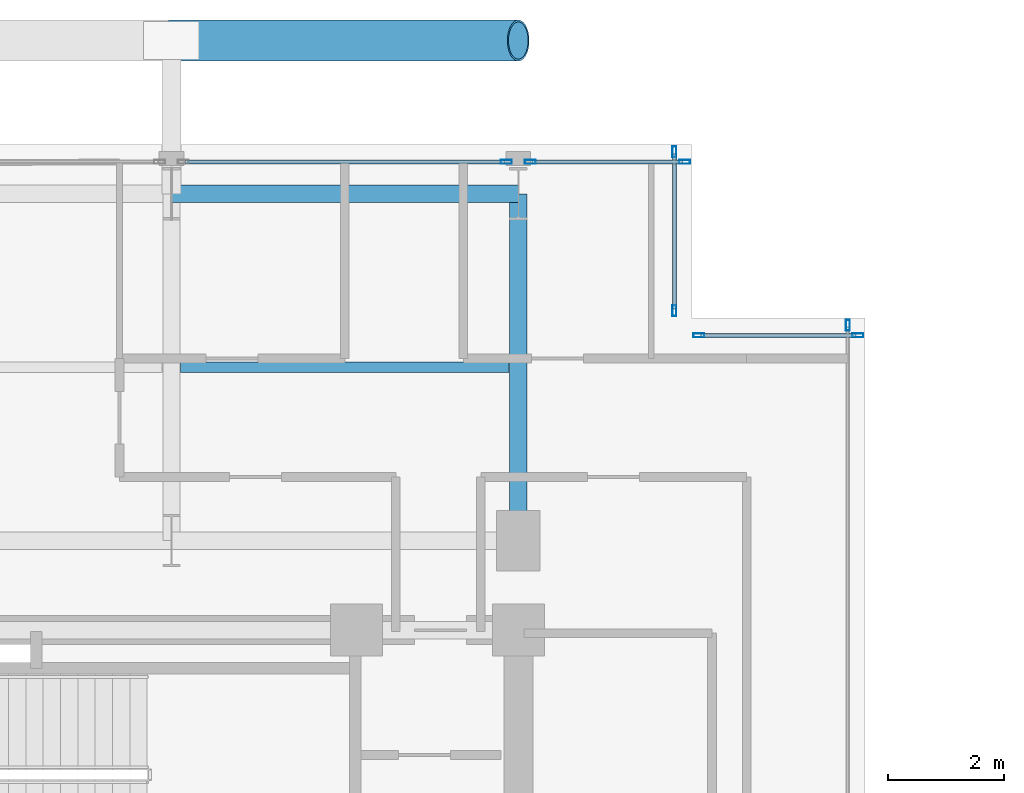
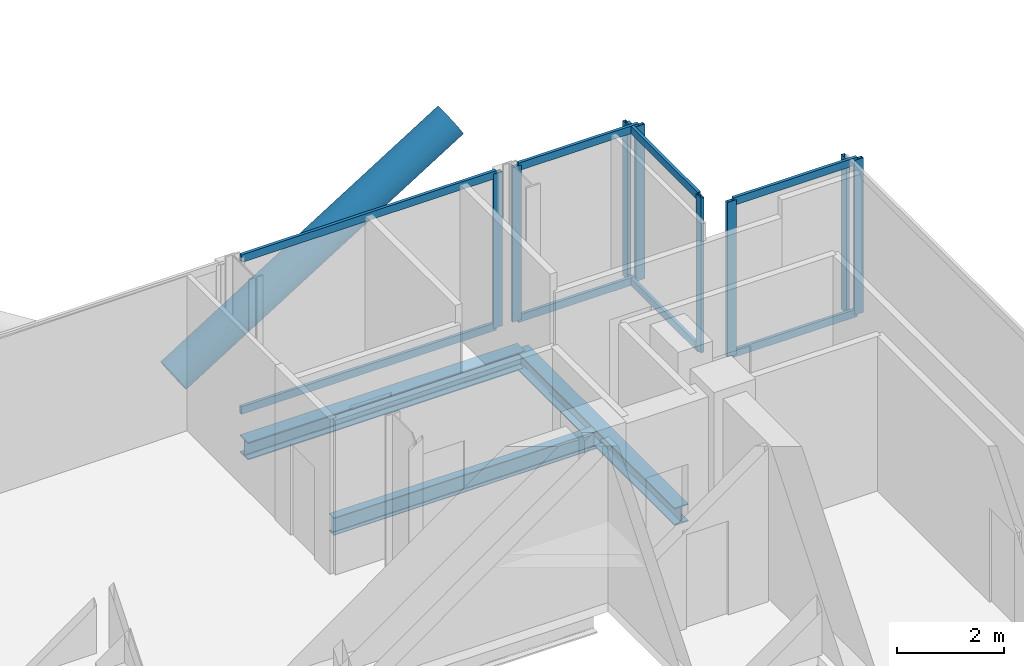
# One storey, part 14 of 22: 17 members, 3 beams, 5 elements without a shape of their own.
"""IFC4 building model written with IfcOpenShell, lengths in metres."""

from ifc_helpers import new_model, si_unit, direction, frame, origin, origin_2d, place, context, subcontext, project, spatial, hollow_rectangle, hollow_circle, i_section, extrude, material, layer, layer_set, material_profile, profile_set, type_object, element, aggregate, save


model = new_model("IFC4")

# Units and contexts
model_context = context("Model", 3, precision=1e-05, world=origin(), true_north=direction((0.0, 1.0)))
body_context = subcontext(model_context, "Body", "Model", "MODEL_VIEW")
ifc_project = project(units=[si_unit("LENGTHUNIT", "METRE"), si_unit("AREAUNIT", "SQUARE_METRE"), si_unit("VOLUMEUNIT", "CUBIC_METRE"), si_unit("PLANEANGLEUNIT", "RADIAN"), si_unit("MASSUNIT", "GRAM", prefix="KILO"), si_unit("THERMODYNAMICTEMPERATUREUNIT", "KELVIN"), si_unit("POWERUNIT", "WATT")], contexts=[model_context])

# Site, building, storey
site_placement = place(None, origin())
site = spatial("IfcSite", under=ifc_project, at=site_placement, CompositionType="ELEMENT")
building_placement = place(site_placement, origin())
building = spatial("IfcBuilding", under=site, at=building_placement, Name="Svarakhadi Broadcast Tower", CompositionType="ELEMENT")
storey_placement = place(building_placement, frame((0.0, 0.0, 191.699951171875)))
storey = spatial("IfcBuildingStorey", under=building, at=storey_placement, Name="L47", CompositionType="ELEMENT", Elevation=191.699951171875)

# Beam
ifc_material_1 = material(Name="Steel S355J2 (IS 2062 E350C)", Category="steel")
ifc_material_profile_1 = material_profile(ifc_material_1, i_section(OverallWidth=0.179931640625, OverallDepth=0.39990234375, WebThickness=0.008544921875, FlangeThickness=0.013427734375, FilletRadius=0.02099609375, at=origin_2d()), Name="NPB 400x180x66")
ifc_profile_set_1 = profile_set([ifc_material_profile_1], Name="Steel S355J2 (IS 2062 E350C)")
beam_type_1 = type_object("IfcBeamType", Name="Beam_NPB400", PredefinedType="BEAM", material=ifc_profile_set_1)
beam_placement = place(storey_placement, frame((12.159912109375, 32.14990234375, -0.409912109375), z_axis=(1.0, 0.0, 0.0), x_axis=(0.0, 1.0, 0.0)))
element("IfcBeam", 1, at=beam_placement, inside=storey, type_object=beam_type_1, Name="L47 Secondary Composite Beam SB012", PredefinedType="BEAM", context=body_context, shape_type="SweptSolid", body=[
    extrude(i_section(OverallWidth=0.179931640625, OverallDepth=0.39990234375, WebThickness=0.008544921875, FlangeThickness=0.013427734375, FilletRadius=0.02099609375, at=origin_2d()), origin(), (0.0, 0.0, 1.0), 5.68017578125),
])

# Curtain wall, member
ifc_material_2 = material(Name="Anodised Bronze Aluminium AA 6063-T6", Category="aluminium")
ifc_layer = layer(ifc_material_2, 0.18994140625)
ifc_layer_set = layer_set([ifc_layer], Name="Anodised Bronze Aluminium AA 6063-T6")
curtain_wall_type = type_object("IfcCurtainWallType", Name="CW_Sys_04", PredefinedType="NOTDEFINED", material=ifc_layer_set)
curtain_wall_1_placement = place(storey_placement, origin())
curtain_wall_1 = element("IfcCurtainWall", 2, at=curtain_wall_1_placement, inside=storey, type_object=curtain_wall_type, Name="L47 Unitised Facade Curtain Wall 06 Bay 2", PredefinedType="NOTDEFINED")
ifc_material_profile_2 = material_profile(ifc_material_2, hollow_rectangle(XDim=0.070068359375, YDim=0.18994140625, WallThickness=0.005615234375, at=origin_2d()), Name="ALU MULLION 190x70x6")
ifc_profile_set_2 = profile_set([ifc_material_profile_2], Name="Anodised Bronze Aluminium AA 6063-T6")
member_type_1 = type_object("IfcMemberType", Name="CW_Sys_04_Mul", PredefinedType="MULLION", material=ifc_profile_set_2)
member_1_placement = place(storey_placement, frame((17.794921875, 35.699951171875, 0.0), z_axis=(0.0, 0.0, 1.0), x_axis=(0.0, 1.0, 0.0)))
member_1 = element("IfcMember", 3, at=member_1_placement, type_object=member_type_1, Name="CW-04 mullion 2", PredefinedType="MULLION", context=body_context, shape_type="SweptSolid", body=[
    extrude(hollow_rectangle(XDim=0.070068359375, YDim=0.18994140625, WallThickness=0.005615234375, at=origin_2d()), origin(), (0.0, 0.0, 1.0), 3.5400390625),
])

# Curtain wall, members
curtain_wall_2_placement = place(storey_placement, origin())
curtain_wall_2 = element("IfcCurtainWall", 4, at=curtain_wall_2_placement, inside=storey, type_object=curtain_wall_type, Name="L47 Unitised Facade Curtain Wall 06 Bay 3", PredefinedType="NOTDEFINED")
member_2_placement = place(storey_placement, frame((18.205078125, 35.699951171875, 0.0), z_axis=(0.0, 0.0, 1.0), x_axis=(0.0, 1.0, 0.0)))
member_2 = element("IfcMember", 5, at=member_2_placement, type_object=member_type_1, Name="CW-04 mullion 1", PredefinedType="MULLION", context=body_context, shape_type="SweptSolid", body=[
    extrude(hollow_rectangle(XDim=0.070068359375, YDim=0.18994140625, WallThickness=0.005615234375, at=origin_2d()), origin(), (0.0, 0.0, 1.0), 3.5400390625),
])
member_3_placement = place(storey_placement, frame((20.875, 35.699951171875, 0.0), z_axis=(0.0, 0.0, 1.0), x_axis=(0.0, 1.0, 0.0)))
member_3 = element("IfcMember", 6, at=member_3_placement, type_object=member_type_1, Name="CW-04 mullion 2", PredefinedType="MULLION", context=body_context, shape_type="SweptSolid", body=[
    extrude(hollow_rectangle(XDim=0.070068359375, YDim=0.18994140625, WallThickness=0.005615234375, at=origin_2d()), origin(), (0.0, 0.0, 1.0), 3.5400390625),
])

curtain_wall_3_placement = place(storey_placement, origin())
curtain_wall_3 = element("IfcCurtainWall", 7, at=curtain_wall_3_placement, inside=storey, type_object=curtain_wall_type, Name="L47 Unitised Facade Curtain Wall 07", PredefinedType="NOTDEFINED")
member_4_placement = place(storey_placement, frame((20.699951171875, 35.875, 0.0), z_axis=(0.0, 0.0, 1.0), x_axis=(1.0, 0.0, 0.0)))
member_4 = element("IfcMember", 8, at=member_4_placement, type_object=member_type_1, Name="CW-04 mullion 1", PredefinedType="MULLION", context=body_context, shape_type="SweptSolid", body=[
    extrude(hollow_rectangle(XDim=0.070068359375, YDim=0.18994140625, WallThickness=0.005615234375, at=origin_2d()), origin(), (0.0, 0.0, 1.0), 3.5400390625),
])
member_5_placement = place(storey_placement, frame((20.699951171875, 33.125, 0.0), z_axis=(0.0, 0.0, 1.0), x_axis=(1.0, 0.0, 0.0)))
member_5 = element("IfcMember", 9, at=member_5_placement, type_object=member_type_1, Name="CW-04 mullion 2", PredefinedType="MULLION", context=body_context, shape_type="SweptSolid", body=[
    extrude(hollow_rectangle(XDim=0.070068359375, YDim=0.18994140625, WallThickness=0.005615234375, at=origin_2d()), origin(), (0.0, 0.0, 1.0), 3.5400390625),
])

curtain_wall_4_placement = place(storey_placement, origin())
curtain_wall_4 = element("IfcCurtainWall", 10, at=curtain_wall_4_placement, inside=storey, type_object=curtain_wall_type, Name="L47 Unitised Facade Curtain Wall 08", PredefinedType="NOTDEFINED")
member_6_placement = place(storey_placement, frame((21.125, 32.699951171875, 0.0), z_axis=(0.0, 0.0, 1.0), x_axis=(0.0, 1.0, 0.0)))
member_6 = element("IfcMember", 11, at=member_6_placement, type_object=member_type_1, Name="CW-04 mullion 1", PredefinedType="MULLION", context=body_context, shape_type="SweptSolid", body=[
    extrude(hollow_rectangle(XDim=0.070068359375, YDim=0.18994140625, WallThickness=0.005615234375, at=origin_2d()), origin(), (0.0, 0.0, 1.0), 3.5400390625),
])
member_7_placement = place(storey_placement, frame((23.875, 32.699951171875, 0.0), z_axis=(0.0, 0.0, 1.0), x_axis=(0.0, 1.0, 0.0)))
member_7 = element("IfcMember", 12, at=member_7_placement, type_object=member_type_1, Name="CW-04 mullion 2", PredefinedType="MULLION", context=body_context, shape_type="SweptSolid", body=[
    extrude(hollow_rectangle(XDim=0.070068359375, YDim=0.18994140625, WallThickness=0.005615234375, at=origin_2d()), origin(), (0.0, 0.0, 1.0), 3.5400390625),
])

# Curtain wall, member
curtain_wall_5_placement = place(storey_placement, origin())
curtain_wall_5 = element("IfcCurtainWall", 13, at=curtain_wall_5_placement, inside=storey, type_object=curtain_wall_type, Name="L47 Unitised Facade Curtain Wall 09", PredefinedType="NOTDEFINED")
member_8_placement = place(storey_placement, frame((23.699951171875, 32.875, 0.0), z_axis=(0.0, 0.0, 1.0), x_axis=(1.0, 0.0, 0.0)))
member_8 = element("IfcMember", 14, at=member_8_placement, type_object=member_type_1, Name="CW-04 mullion 1", PredefinedType="MULLION", context=body_context, shape_type="SweptSolid", body=[
    extrude(hollow_rectangle(XDim=0.070068359375, YDim=0.18994140625, WallThickness=0.005615234375, at=origin_2d()), origin(), (0.0, 0.0, 1.0), 3.5400390625),
])
aggregate(curtain_wall_5, [member_8])

# Member
ifc_material_profile_3 = material_profile(ifc_material_2, hollow_rectangle(XDim=0.06494140625, YDim=0.175048828125, WallThickness=0.0048828125, at=origin_2d()), Name="ALU TRANSOM 175x65x5")
ifc_profile_set_3 = profile_set([ifc_material_profile_3], Name="Anodised Bronze Aluminium AA 6063-T6")
member_type_2 = type_object("IfcMemberType", Name="CW_Sys_04_Trn", PredefinedType="USERDEFINED", material=ifc_profile_set_3)
member_9_placement = place(storey_placement, frame((12.239990234375, 35.699951171875, 0.032470703125), z_axis=(1.0, 0.0, 0.0), x_axis=(0.0, 1.0, 0.0)))
member_9 = element("IfcMember", 15, at=member_9_placement, type_object=member_type_2, Name="CW-04 transom 1.1", ObjectType="TRANSOM", PredefinedType="USERDEFINED", context=body_context, shape_type="SweptSolid", body=[
    extrude(hollow_rectangle(XDim=0.06494140625, YDim=0.175048828125, WallThickness=0.0048828125, at=origin_2d()), origin(), (0.0, 0.0, 1.0), 5.52001953125),
])

member_10_placement = place(storey_placement, frame((12.239990234375, 35.699951171875, 3.507568359375), z_axis=(1.0, 0.0, 0.0), x_axis=(0.0, 1.0, 0.0)))
member_10 = element("IfcMember", 16, at=member_10_placement, type_object=member_type_2, Name="CW-04 transom 1.2", ObjectType="TRANSOM", PredefinedType="USERDEFINED", context=body_context, shape_type="SweptSolid", body=[
    extrude(hollow_rectangle(XDim=0.06494140625, YDim=0.175048828125, WallThickness=0.0048828125, at=origin_2d()), origin(), (0.0, 0.0, 1.0), 5.52001953125),
])

aggregate(curtain_wall_1, [member_1, member_9, member_10])

member_11_placement = place(storey_placement, frame((18.239990234375, 35.699951171875, 0.032470703125), z_axis=(1.0, 0.0, 0.0), x_axis=(0.0, 1.0, 0.0)))
member_11 = element("IfcMember", 17, at=member_11_placement, type_object=member_type_2, Name="CW-04 transom 1.1", ObjectType="TRANSOM", PredefinedType="USERDEFINED", context=body_context, shape_type="SweptSolid", body=[
    extrude(hollow_rectangle(XDim=0.06494140625, YDim=0.175048828125, WallThickness=0.0048828125, at=origin_2d()), origin(), (0.0, 0.0, 1.0), 2.60009765625),
])

member_12_placement = place(storey_placement, frame((18.239990234375, 35.699951171875, 3.507568359375), z_axis=(1.0, 0.0, 0.0), x_axis=(0.0, 1.0, 0.0)))
member_12 = element("IfcMember", 18, at=member_12_placement, type_object=member_type_2, Name="CW-04 transom 1.2", ObjectType="TRANSOM", PredefinedType="USERDEFINED", context=body_context, shape_type="SweptSolid", body=[
    extrude(hollow_rectangle(XDim=0.06494140625, YDim=0.175048828125, WallThickness=0.0048828125, at=origin_2d()), origin(), (0.0, 0.0, 1.0), 2.60009765625),
])

aggregate(curtain_wall_2, [member_2, member_3, member_11, member_12])

member_13_placement = place(storey_placement, frame((20.699951171875, 35.840087890625, 0.032470703125), z_axis=(0.0, -1.0, 0.0), x_axis=(1.0, 0.0, 0.0)))
member_13 = element("IfcMember", 19, at=member_13_placement, type_object=member_type_2, Name="CW-04 transom 1.1", ObjectType="TRANSOM", PredefinedType="USERDEFINED", context=body_context, shape_type="SweptSolid", body=[
    extrude(hollow_rectangle(XDim=0.06494140625, YDim=0.175048828125, WallThickness=0.0048828125, at=origin_2d()), origin(), (0.0, 0.0, 1.0), 2.68017578125),
])

member_14_placement = place(storey_placement, frame((20.699951171875, 35.840087890625, 3.507568359375), z_axis=(0.0, -1.0, 0.0), x_axis=(1.0, 0.0, 0.0)))
member_14 = element("IfcMember", 20, at=member_14_placement, type_object=member_type_2, Name="CW-04 transom 1.2", ObjectType="TRANSOM", PredefinedType="USERDEFINED", context=body_context, shape_type="SweptSolid", body=[
    extrude(hollow_rectangle(XDim=0.06494140625, YDim=0.175048828125, WallThickness=0.0048828125, at=origin_2d()), origin(), (0.0, 0.0, 1.0), 2.68017578125),
])

aggregate(curtain_wall_3, [member_4, member_5, member_13, member_14])

member_15_placement = place(storey_placement, frame((21.159912109375, 32.699951171875, 0.032470703125), z_axis=(1.0, 0.0, 0.0), x_axis=(0.0, 1.0, 0.0)))
member_15 = element("IfcMember", 21, at=member_15_placement, type_object=member_type_2, Name="CW-04 transom 1.1", ObjectType="TRANSOM", PredefinedType="USERDEFINED", context=body_context, shape_type="SweptSolid", body=[
    extrude(hollow_rectangle(XDim=0.06494140625, YDim=0.175048828125, WallThickness=0.0048828125, at=origin_2d()), origin(), (0.0, 0.0, 1.0), 2.68017578125),
])

member_16_placement = place(storey_placement, frame((21.159912109375, 32.699951171875, 3.507568359375), z_axis=(1.0, 0.0, 0.0), x_axis=(0.0, 1.0, 0.0)))
member_16 = element("IfcMember", 22, at=member_16_placement, type_object=member_type_2, Name="CW-04 transom 1.2", ObjectType="TRANSOM", PredefinedType="USERDEFINED", context=body_context, shape_type="SweptSolid", body=[
    extrude(hollow_rectangle(XDim=0.06494140625, YDim=0.175048828125, WallThickness=0.0048828125, at=origin_2d()), origin(), (0.0, 0.0, 1.0), 2.68017578125),
])

aggregate(curtain_wall_4, [member_6, member_7, member_15, member_16])

ifc_material_3 = material(Name="Steel S460ML (IS 2062 E450BR)", Category="steel")
ifc_material_profile_4 = material_profile(ifc_material_3, hollow_circle(Radius=0.35546875, WallThickness=0.034912109375, at=origin_2d()), Name="CHS 711x35")
ifc_profile_set_4 = profile_set([ifc_material_profile_4], Name="Steel S460ML (IS 2062 E450BR)")
member_type_3 = type_object("IfcMemberType", Name="Exo_Brace_CHS711", PredefinedType="BRACE", material=ifc_profile_set_4)
member_17_placement = place(storey_placement, frame((12.0, 37.800048828125, -0.371826171875), z_axis=(0.847998304005, 0.0, 0.529998940003), x_axis=(0.0, 1.0, 0.0)))
element("IfcMember", 23, at=member_17_placement, inside=storey, type_object=member_type_3, Name="L47 Exposed Bronze Exoskeleton Diagonal N07", PredefinedType="BRACE", context=body_context, shape_type="SweptSolid", body=[
    extrude(hollow_circle(Radius=0.35546875, WallThickness=0.034912109375, at=origin_2d()), origin(), (0.0, 0.0, 1.0), 7.075439453125),
])

# Beams
ifc_material_profile_5 = material_profile(ifc_material_1, i_section(OverallWidth=0.300048828125, OverallDepth=0.39990234375, WebThickness=0.013427734375, FlangeThickness=0.02392578125, FilletRadius=0.027099609375, at=origin_2d()), Name="WPB 400x300x155")
ifc_profile_set_5 = profile_set([ifc_material_profile_5], Name="Steel S355J2 (IS 2062 E350C)")
beam_type_2 = type_object("IfcBeamType", Name="Girder_WPB400", PredefinedType="USERDEFINED", material=ifc_profile_set_5)
for number, where, z_axis, x_axis, name in (
    (24, (12.0, 35.14990234375, -0.409912109375), (1.0, 0.0, 0.0), (0.0, 1.0, 0.0), "L47 Primary E-W Girder G032"),
    (25, (18.0, 29.14990234375, -0.409912109375), (0.0, 1.0, 0.0), (-1.0, 0.0, 0.0), "L47 Primary N-S Girder G050"),
):
    element("IfcBeam", number, at=place(storey_placement, frame(where, z_axis=z_axis, x_axis=x_axis)), inside=storey, type_object=beam_type_2, Name=name, ObjectType="GIRDER", PredefinedType="USERDEFINED", context=body_context, shape_type="SweptSolid", body=[
        extrude(i_section(OverallWidth=0.300048828125, OverallDepth=0.39990234375, WebThickness=0.013427734375, FlangeThickness=0.02392578125, FilletRadius=0.027099609375, at=origin_2d()), origin(), (0.0, 0.0, 1.0), 6.0),
    ])

save(model, "model.ifc")
